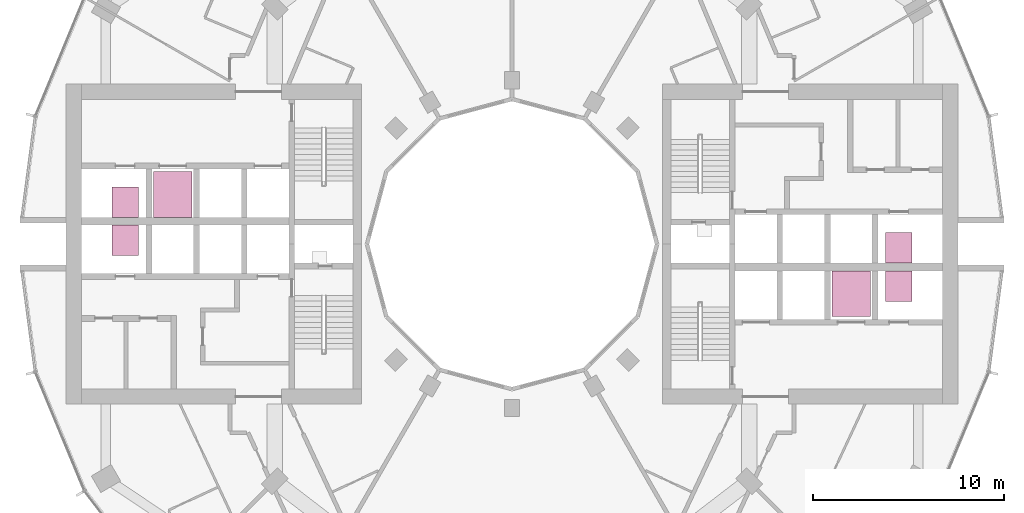
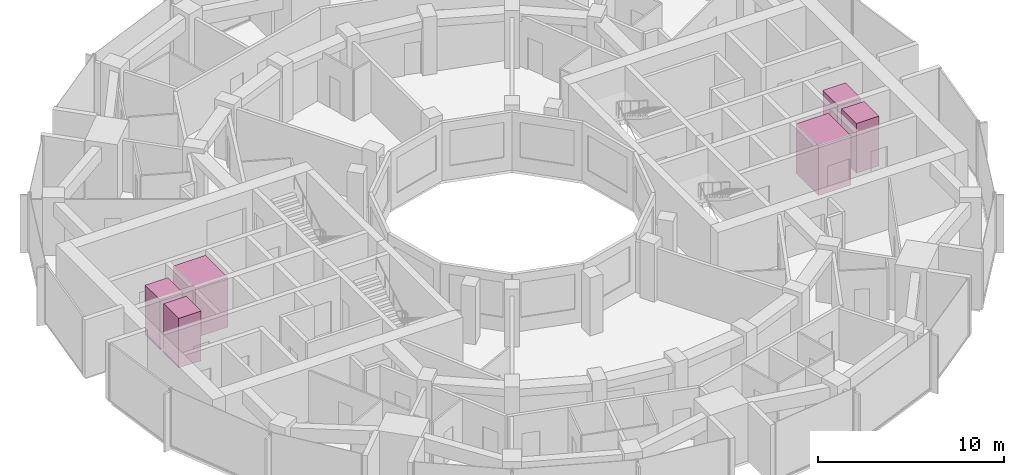
# One storey, part 15 of 15: 6 transport elements.
"""IFC4 building model written with IfcOpenShell, lengths in metres."""

from ifc_helpers import new_model, si_unit, direction, frame, origin, origin_2d, place, context, subcontext, project, spatial, rectangle, extrude, material, type_object, element, save


model = new_model("IFC4")

# Units and contexts
model_context = context("Model", 3, precision=1e-05, world=origin(), true_north=direction((0.0, 1.0)))
body_context = subcontext(model_context, "Body", "Model", "MODEL_VIEW")
ifc_project = project(units=[si_unit("LENGTHUNIT", "METRE"), si_unit("AREAUNIT", "SQUARE_METRE"), si_unit("VOLUMEUNIT", "CUBIC_METRE"), si_unit("PLANEANGLEUNIT", "RADIAN"), si_unit("MASSUNIT", "GRAM", prefix="KILO")], contexts=[model_context])

# Site, building, storey
site_placement = place(None, origin())
site = spatial("IfcSite", under=ifc_project, at=site_placement, CompositionType="ELEMENT")
building_placement = place(site_placement, origin())
building = spatial("IfcBuilding", under=site, at=building_placement, Name="Torre Brocal", CompositionType="ELEMENT")
storey_placement = place(building_placement, frame((0.0, 0.0, 86.199951171875)))
storey = spatial("IfcBuildingStorey", under=building, at=storey_placement, Name="L19", CompositionType="ELEMENT", Elevation=86.199951171875)

# Transport elements
ifc_material_1 = material(Name="Stainless steel AISI 316", Category="steel")
transport_element_type_1 = type_object("IfcTransportElementType", Name="PASSENGER LIFT 2000", PredefinedType="ELEVATOR", material=ifc_material_1)
for number, where, z_axis, x_axis, name in (
    (1, (97.800048828125, 72.39990234375, 0.0), (0.0, 0.0, 1.0), (1.0, 0.0, 0.0), "LOW RISE LIFT E-LR2"),
    (2, (62.199951171875, 77.60009765625, 0.0), (0.0, 0.0, 1.0), (1.0, 0.0, 0.0), "LOW RISE LIFT W-LR2"),
):
    element("IfcTransportElement", number, at=place(storey_placement, frame(where, z_axis=z_axis, x_axis=x_axis)), inside=storey, type_object=transport_element_type_1, Name=name, PredefinedType="ELEVATOR", context=body_context, shape_type="SweptSolid", body=[
        extrude(rectangle(XDim=2.0, YDim=2.39990234375, at=origin_2d()), origin(), (0.0, 0.0, 1.0), 3.25),
    ])
ifc_material_2 = material(Name="Stainless steel AISI 316", Category="steel")
transport_element_type_2 = type_object("IfcTransportElementType", Name="PASSENGER LIFT 900", PredefinedType="ELEVATOR", material=ifc_material_2)
for number, where, z_axis, x_axis, name in (
    (3, (100.300048828125, 74.800048828125, 0.0), (0.0, 0.0, 1.0), (1.0, 0.0, 0.0), "LOW RISE LIFT E-LR1"),
    (4, (100.300048828125, 72.800048828125, 0.0), (0.0, 0.0, 1.0), (1.0, 0.0, 0.0), "LOW RISE LIFT E-LR3"),
    (5, (59.699951171875, 75.199951171875, 0.0), (0.0, 0.0, 1.0), (1.0, 0.0, 0.0), "LOW RISE LIFT W-LR1"),
    (6, (59.699951171875, 77.199951171875, 0.0), (0.0, 0.0, 1.0), (1.0, 0.0, 0.0), "LOW RISE LIFT W-LR3"),
):
    element("IfcTransportElement", number, at=place(storey_placement, frame(where, z_axis=z_axis, x_axis=x_axis)), inside=storey, type_object=transport_element_type_2, Name=name, PredefinedType="ELEVATOR", context=body_context, shape_type="SweptSolid", body=[
        extrude(rectangle(XDim=1.39990234375, YDim=1.60009765625, at=origin_2d()), origin(), (0.0, 0.0, 1.0), 3.25),
    ])

save(model, "model.ifc")
